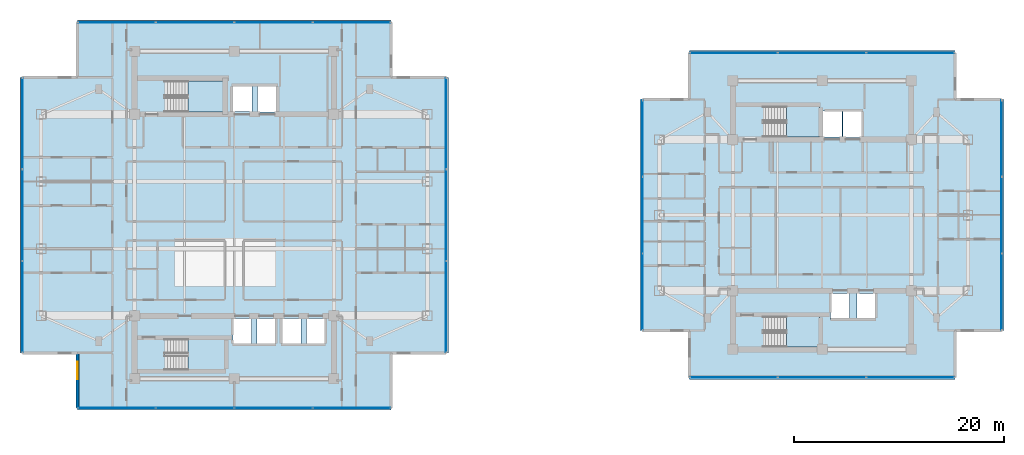
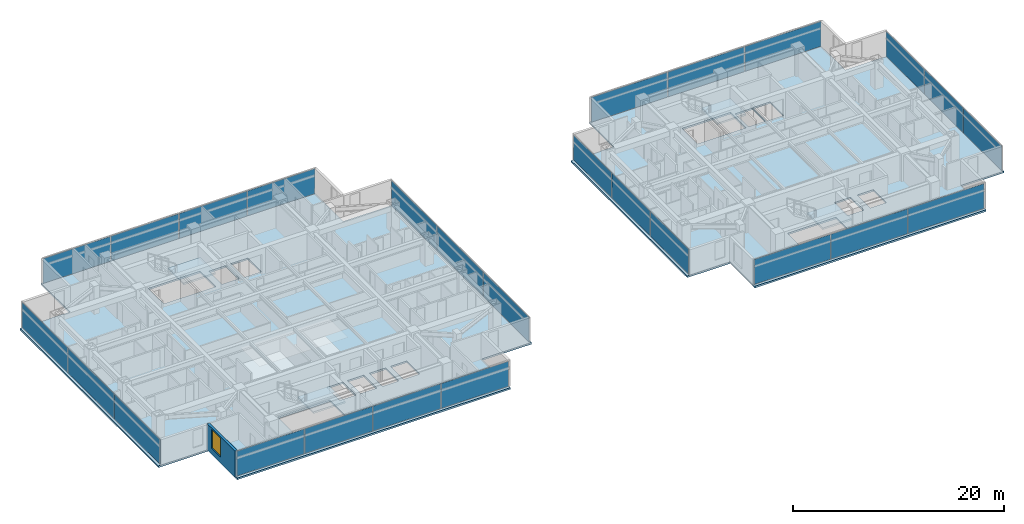
# One storey, part 11 of 24: 26 plates, 6 slabs, 1 wall, 1 window, 1 opening, 12 elements without a shape of their own.
"""IFC4 building model written with IfcOpenShell, lengths in metres."""

from ifc_helpers import new_model, si_unit, direction, frame, frame_2d, origin, origin_2d, place, context, subcontext, project, spatial, polyline, rectangle, outline, extrude, material, layer, layer_set, type_object, element, fill, aggregate, save


model = new_model("IFC4")

# Units and contexts
model_context = context("Model", 3, precision=1e-05, world=origin(), true_north=direction((0.0, 1.0)))
body_context = subcontext(model_context, "Body", "Model", "MODEL_VIEW")
ifc_project = project(units=[si_unit("LENGTHUNIT", "METRE"), si_unit("AREAUNIT", "SQUARE_METRE"), si_unit("VOLUMEUNIT", "CUBIC_METRE"), si_unit("PLANEANGLEUNIT", "RADIAN"), si_unit("MASSUNIT", "GRAM", prefix="KILO")], contexts=[model_context])

# Site, building, storey
site_placement = place(None, origin())
site = spatial("IfcSite", under=ifc_project, at=site_placement, CompositionType="ELEMENT")
building_placement = place(site_placement, origin())
building = spatial("IfcBuilding", under=site, at=building_placement, Name="Mirazonda Arch Towers", CompositionType="ELEMENT")
storey_placement = place(building_placement, frame((0.0, 0.0, 160.89990234375)))
storey = spatial("IfcBuildingStorey", under=building, at=storey_placement, Name="L45", CompositionType="ELEMENT", Elevation=160.89990234375)

# Curtain wall, plates
ifc_material_1 = material(Name="Anodised Aluminium and Low-E Glass", Category="aluminium")
curtain_wall_type = type_object("IfcCurtainWallType", Name="CW-RES-UNIT", PredefinedType="NOTDEFINED", material=ifc_material_1)
curtain_wall_1_placement = place(storey_placement, origin())
curtain_wall_1 = element("IfcCurtainWall", 1, at=curtain_wall_1_placement, inside=storey, type_object=curtain_wall_type, Name="L45 T1 S Facade CW-L45-T1-S", PredefinedType="NOTDEFINED")
ifc_material_2 = material(Name="Insulated Low-E Solar Glass", Category="glass")
ifc_layer_1 = layer(ifc_material_2, 0.0400390625, Name="PAN-CW-RES-UNIT")
ifc_layer_set_1 = layer_set([ifc_layer_1], Name="Insulated Low-E Solar Glass")
plate_type = type_object("IfcPlateType", Name="PAN-CW-RES-UNIT", PredefinedType="CURTAIN_PANEL", material=ifc_layer_set_1)
plate_1_placement = place(storey_placement, frame((31.68994140625, 9.634033203125, 0.0751953125), z_axis=(0.0, 0.0, 1.0), x_axis=(-1.0, 0.0, 0.0)))
plate_1 = element("IfcPlate", 2, at=plate_1_placement, type_object=plate_type, Name="CW-104 panel 1.1", PredefinedType="CURTAIN_PANEL", context=body_context, shape_type="SweptSolid", body=[
    extrude(rectangle(XDim=7.360107421875, YDim=0.0400390625, at=origin_2d()), origin(), (0.0, 0.0, 1.0), 2.8798828125),
])
plate_2_placement = place(storey_placement, frame((24.236328125, 9.634033203125, 0.0751953125), z_axis=(0.0, 0.0, 1.0), x_axis=(-1.0, 0.0, 0.0)))
plate_2 = element("IfcPlate", 3, at=plate_2_placement, type_object=plate_type, Name="CW-104 panel 2.1", PredefinedType="CURTAIN_PANEL", context=body_context, shape_type="SweptSolid", body=[
    extrude(rectangle(XDim=7.3974609375, YDim=0.0400390625, at=origin_2d()), origin(), (0.0, 0.0, 1.0), 2.8798828125),
])
plate_3_placement = place(storey_placement, frame((16.763671875, 9.634033203125, 0.0751953125), z_axis=(0.0, 0.0, 1.0), x_axis=(-1.0, 0.0, 0.0)))
plate_3 = element("IfcPlate", 4, at=plate_3_placement, type_object=plate_type, Name="CW-104 panel 3.1", PredefinedType="CURTAIN_PANEL", context=body_context, shape_type="SweptSolid", body=[
    extrude(rectangle(XDim=7.3974609375, YDim=0.0400390625, at=origin_2d()), origin(), (0.0, 0.0, 1.0), 2.8798828125),
])
plate_4_placement = place(storey_placement, frame((9.31005859375, 9.634033203125, 0.0751953125), z_axis=(0.0, 0.0, 1.0), x_axis=(-1.0, 0.0, 0.0)))
plate_4 = element("IfcPlate", 5, at=plate_4_placement, type_object=plate_type, Name="CW-104 panel 4.1", PredefinedType="CURTAIN_PANEL", context=body_context, shape_type="SweptSolid", body=[
    extrude(rectangle(XDim=7.360107421875, YDim=0.0400390625, at=origin_2d()), origin(), (0.0, 0.0, 1.0), 2.8798828125),
])
aggregate(curtain_wall_1, [plate_1, plate_2, plate_3, plate_4])

curtain_wall_2_placement = place(storey_placement, origin())
curtain_wall_2 = element("IfcCurtainWall", 6, at=curtain_wall_2_placement, inside=storey, type_object=curtain_wall_type, Name="L45 T1 E Facade CW-L45-T1-E", PredefinedType="NOTDEFINED")
plate_5_placement = place(storey_placement, frame((40.68994140625, 19.271484375, 0.0751953125), z_axis=(0.0, 0.0, 1.0), x_axis=(0.0, 1.0, 0.0)))
plate_5 = element("IfcPlate", 7, at=plate_5_placement, type_object=plate_type, Name="CW-104 panel 1.1", PredefinedType="CURTAIN_PANEL", context=body_context, shape_type="SweptSolid", body=[
    extrude(rectangle(XDim=8.634765625, YDim=0.0400390625, at=origin_2d()), origin(), (0.0, 0.0, 1.0), 2.8798828125),
])
plate_6_placement = place(storey_placement, frame((40.68994140625, 28.0, 0.0751953125), z_axis=(0.0, 0.0, 1.0), x_axis=(0.0, 1.0, 0.0)))
plate_6 = element("IfcPlate", 8, at=plate_6_placement, type_object=plate_type, Name="CW-104 panel 2.1", PredefinedType="CURTAIN_PANEL", context=body_context, shape_type="SweptSolid", body=[
    extrude(rectangle(XDim=8.67236328125, YDim=0.0400390625, at=origin_2d()), origin(), (0.0, 0.0, 1.0), 2.8798828125),
])
plate_7_placement = place(storey_placement, frame((40.68994140625, 36.728515625, 0.0751953125), z_axis=(0.0, 0.0, 1.0), x_axis=(0.0, 1.0, 0.0)))
plate_7 = element("IfcPlate", 9, at=plate_7_placement, type_object=plate_type, Name="CW-104 panel 3.1", PredefinedType="CURTAIN_PANEL", context=body_context, shape_type="SweptSolid", body=[
    extrude(rectangle(XDim=8.634765625, YDim=0.0400390625, at=origin_2d()), origin(), (0.0, 0.0, 1.0), 2.8798828125),
])
aggregate(curtain_wall_2, [plate_5, plate_6, plate_7])

curtain_wall_3_placement = place(storey_placement, origin())
curtain_wall_3 = element("IfcCurtainWall", 10, at=curtain_wall_3_placement, inside=storey, type_object=curtain_wall_type, Name="L45 T1 N Facade CW-L45-T1-N", PredefinedType="NOTDEFINED")
plate_8_placement = place(storey_placement, frame((9.31005859375, 46.365966796875, 0.0751953125), z_axis=(0.0, 0.0, 1.0), x_axis=(1.0, 0.0, 0.0)))
plate_8 = element("IfcPlate", 11, at=plate_8_placement, type_object=plate_type, Name="CW-104 panel 1.1", PredefinedType="CURTAIN_PANEL", context=body_context, shape_type="SweptSolid", body=[
    extrude(rectangle(XDim=7.360107421875, YDim=0.0400390625, at=origin_2d()), origin(), (0.0, 0.0, 1.0), 2.8798828125),
])
plate_9_placement = place(storey_placement, frame((16.763671875, 46.365966796875, 0.0751953125), z_axis=(0.0, 0.0, 1.0), x_axis=(1.0, 0.0, 0.0)))
plate_9 = element("IfcPlate", 12, at=plate_9_placement, type_object=plate_type, Name="CW-104 panel 2.1", PredefinedType="CURTAIN_PANEL", context=body_context, shape_type="SweptSolid", body=[
    extrude(rectangle(XDim=7.3974609375, YDim=0.0400390625, at=origin_2d()), origin(), (0.0, 0.0, 1.0), 2.8798828125),
])
plate_10_placement = place(storey_placement, frame((24.236328125, 46.365966796875, 0.0751953125), z_axis=(0.0, 0.0, 1.0), x_axis=(1.0, 0.0, 0.0)))
plate_10 = element("IfcPlate", 13, at=plate_10_placement, type_object=plate_type, Name="CW-104 panel 3.1", PredefinedType="CURTAIN_PANEL", context=body_context, shape_type="SweptSolid", body=[
    extrude(rectangle(XDim=7.3974609375, YDim=0.0400390625, at=origin_2d()), origin(), (0.0, 0.0, 1.0), 2.8798828125),
])
plate_11_placement = place(storey_placement, frame((31.68994140625, 46.365966796875, 0.0751953125), z_axis=(0.0, 0.0, 1.0), x_axis=(1.0, 0.0, 0.0)))
plate_11 = element("IfcPlate", 14, at=plate_11_placement, type_object=plate_type, Name="CW-104 panel 4.1", PredefinedType="CURTAIN_PANEL", context=body_context, shape_type="SweptSolid", body=[
    extrude(rectangle(XDim=7.360107421875, YDim=0.0400390625, at=origin_2d()), origin(), (0.0, 0.0, 1.0), 2.8798828125),
])
aggregate(curtain_wall_3, [plate_8, plate_9, plate_10, plate_11])

curtain_wall_4_placement = place(storey_placement, origin())
curtain_wall_4 = element("IfcCurtainWall", 15, at=curtain_wall_4_placement, inside=storey, type_object=curtain_wall_type, Name="L45 T1 W Facade CW-L45-T1-W", PredefinedType="NOTDEFINED")
plate_12_placement = place(storey_placement, frame((0.31005859375, 36.728515625, 0.0751953125), z_axis=(0.0, 0.0, 1.0), x_axis=(0.0, -1.0, 0.0)))
plate_12 = element("IfcPlate", 16, at=plate_12_placement, type_object=plate_type, Name="CW-104 panel 1.1", PredefinedType="CURTAIN_PANEL", context=body_context, shape_type="SweptSolid", body=[
    extrude(rectangle(XDim=8.634765625, YDim=0.0400390625, at=origin_2d()), origin(), (0.0, 0.0, 1.0), 2.8798828125),
])
plate_13_placement = place(storey_placement, frame((0.31005859375, 28.0, 0.0751953125), z_axis=(0.0, 0.0, 1.0), x_axis=(0.0, -1.0, 0.0)))
plate_13 = element("IfcPlate", 17, at=plate_13_placement, type_object=plate_type, Name="CW-104 panel 2.1", PredefinedType="CURTAIN_PANEL", context=body_context, shape_type="SweptSolid", body=[
    extrude(rectangle(XDim=8.67236328125, YDim=0.0400390625, at=origin_2d()), origin(), (0.0, 0.0, 1.0), 2.8798828125),
])
plate_14_placement = place(storey_placement, frame((0.31005859375, 19.271484375, 0.0751953125), z_axis=(0.0, 0.0, 1.0), x_axis=(0.0, -1.0, 0.0)))
plate_14 = element("IfcPlate", 18, at=plate_14_placement, type_object=plate_type, Name="CW-104 panel 3.1", PredefinedType="CURTAIN_PANEL", context=body_context, shape_type="SweptSolid", body=[
    extrude(rectangle(XDim=8.634765625, YDim=0.0400390625, at=origin_2d()), origin(), (0.0, 0.0, 1.0), 2.8798828125),
])
aggregate(curtain_wall_4, [plate_12, plate_13, plate_14])

curtain_wall_5_placement = place(storey_placement, origin())
curtain_wall_5 = element("IfcCurtainWall", 19, at=curtain_wall_5_placement, inside=storey, type_object=curtain_wall_type, Name="L45 T2 S Facade CW-L45-T2-S", PredefinedType="NOTDEFINED")
plate_15_placement = place(storey_placement, frame((84.91015625, 12.5419921875, 0.0751953125), z_axis=(0.0, 0.0, 1.0), x_axis=(-1.0, 0.0, 0.0)))
plate_15 = element("IfcPlate", 20, at=plate_15_placement, type_object=plate_type, Name="CW-104 panel 1.1", PredefinedType="CURTAIN_PANEL", context=body_context, shape_type="SweptSolid", body=[
    extrude(rectangle(XDim=8.31640625, YDim=0.0400390625, at=origin_2d()), origin(), (0.0, 0.0, 1.0), 2.8798828125),
])
plate_16_placement = place(storey_placement, frame((76.5, 12.5419921875, 0.0751953125), z_axis=(0.0, 0.0, 1.0), x_axis=(-1.0, 0.0, 0.0)))
plate_16 = element("IfcPlate", 21, at=plate_16_placement, type_object=plate_type, Name="CW-104 panel 2.1", PredefinedType="CURTAIN_PANEL", context=body_context, shape_type="SweptSolid", body=[
    extrude(rectangle(XDim=8.353759765625, YDim=0.0400390625, at=origin_2d()), origin(), (0.0, 0.0, 1.0), 2.8798828125),
])
plate_17_placement = place(storey_placement, frame((68.08984375, 12.5419921875, 0.0751953125), z_axis=(0.0, 0.0, 1.0), x_axis=(-1.0, 0.0, 0.0)))
plate_17 = element("IfcPlate", 22, at=plate_17_placement, type_object=plate_type, Name="CW-104 panel 3.1", PredefinedType="CURTAIN_PANEL", context=body_context, shape_type="SweptSolid", body=[
    extrude(rectangle(XDim=8.31640625, YDim=0.0400390625, at=origin_2d()), origin(), (0.0, 0.0, 1.0), 2.8798828125),
])
aggregate(curtain_wall_5, [plate_15, plate_16, plate_17])

curtain_wall_6_placement = place(storey_placement, origin())
curtain_wall_6 = element("IfcCurtainWall", 23, at=curtain_wall_6_placement, inside=storey, type_object=curtain_wall_type, Name="L45 T2 E Facade CW-L45-T2-E", PredefinedType="NOTDEFINED")
plate_18_placement = place(storey_placement, frame((93.6083984375, 20.690185546875, 0.0751953125), z_axis=(0.0, 0.0, 1.0), x_axis=(0.0, 1.0, 0.0)))
plate_18 = element("IfcPlate", 24, at=plate_18_placement, type_object=plate_type, Name="CW-104 panel 1.1", PredefinedType="CURTAIN_PANEL", context=body_context, shape_type="SweptSolid", body=[
    extrude(rectangle(XDim=7.216064453125, YDim=0.0400390625, at=origin_2d()), origin(), (0.0, 0.0, 1.0), 2.8798828125),
])
plate_19_placement = place(storey_placement, frame((93.6083984375, 28.0, 0.0751953125), z_axis=(0.0, 0.0, 1.0), x_axis=(0.0, 1.0, 0.0)))
plate_19 = element("IfcPlate", 25, at=plate_19_placement, type_object=plate_type, Name="CW-104 panel 2.1", PredefinedType="CURTAIN_PANEL", context=body_context, shape_type="SweptSolid", body=[
    extrude(rectangle(XDim=7.253662109375, YDim=0.0400390625, at=origin_2d()), origin(), (0.0, 0.0, 1.0), 2.8798828125),
])
plate_20_placement = place(storey_placement, frame((93.6083984375, 35.309814453125, 0.0751953125), z_axis=(0.0, 0.0, 1.0), x_axis=(0.0, 1.0, 0.0)))
plate_20 = element("IfcPlate", 26, at=plate_20_placement, type_object=plate_type, Name="CW-104 panel 3.1", PredefinedType="CURTAIN_PANEL", context=body_context, shape_type="SweptSolid", body=[
    extrude(rectangle(XDim=7.216064453125, YDim=0.0400390625, at=origin_2d()), origin(), (0.0, 0.0, 1.0), 2.8798828125),
])
aggregate(curtain_wall_6, [plate_18, plate_19, plate_20])

curtain_wall_7_placement = place(storey_placement, origin())
curtain_wall_7 = element("IfcCurtainWall", 27, at=curtain_wall_7_placement, inside=storey, type_object=curtain_wall_type, Name="L45 T2 N Facade CW-L45-T2-N", PredefinedType="NOTDEFINED")
plate_21_placement = place(storey_placement, frame((68.08984375, 43.4580078125, 0.0751953125), z_axis=(0.0, 0.0, 1.0), x_axis=(1.0, 0.0, 0.0)))
plate_21 = element("IfcPlate", 28, at=plate_21_placement, type_object=plate_type, Name="CW-104 panel 1.1", PredefinedType="CURTAIN_PANEL", context=body_context, shape_type="SweptSolid", body=[
    extrude(rectangle(XDim=8.31640625, YDim=0.0400390625, at=origin_2d()), origin(), (0.0, 0.0, 1.0), 2.8798828125),
])
plate_22_placement = place(storey_placement, frame((76.5, 43.4580078125, 0.0751953125), z_axis=(0.0, 0.0, 1.0), x_axis=(1.0, 0.0, 0.0)))
plate_22 = element("IfcPlate", 29, at=plate_22_placement, type_object=plate_type, Name="CW-104 panel 2.1", PredefinedType="CURTAIN_PANEL", context=body_context, shape_type="SweptSolid", body=[
    extrude(rectangle(XDim=8.353759765625, YDim=0.0400390625, at=origin_2d()), origin(), (0.0, 0.0, 1.0), 2.8798828125),
])
plate_23_placement = place(storey_placement, frame((84.91015625, 43.4580078125, 0.0751953125), z_axis=(0.0, 0.0, 1.0), x_axis=(1.0, 0.0, 0.0)))
plate_23 = element("IfcPlate", 30, at=plate_23_placement, type_object=plate_type, Name="CW-104 panel 3.1", PredefinedType="CURTAIN_PANEL", context=body_context, shape_type="SweptSolid", body=[
    extrude(rectangle(XDim=8.31640625, YDim=0.0400390625, at=origin_2d()), origin(), (0.0, 0.0, 1.0), 2.8798828125),
])
aggregate(curtain_wall_7, [plate_21, plate_22, plate_23])

curtain_wall_8_placement = place(storey_placement, origin())
curtain_wall_8 = element("IfcCurtainWall", 31, at=curtain_wall_8_placement, inside=storey, type_object=curtain_wall_type, Name="L45 T2 W Facade CW-L45-T2-W", PredefinedType="NOTDEFINED")
plate_24_placement = place(storey_placement, frame((59.3916015625, 35.309814453125, 0.0751953125), z_axis=(0.0, 0.0, 1.0), x_axis=(0.0, -1.0, 0.0)))
plate_24 = element("IfcPlate", 32, at=plate_24_placement, type_object=plate_type, Name="CW-104 panel 1.1", PredefinedType="CURTAIN_PANEL", context=body_context, shape_type="SweptSolid", body=[
    extrude(rectangle(XDim=7.216064453125, YDim=0.0400390625, at=origin_2d()), origin(), (0.0, 0.0, 1.0), 2.8798828125),
])
plate_25_placement = place(storey_placement, frame((59.3916015625, 28.0, 0.0751953125), z_axis=(0.0, 0.0, 1.0), x_axis=(0.0, -1.0, 0.0)))
plate_25 = element("IfcPlate", 33, at=plate_25_placement, type_object=plate_type, Name="CW-104 panel 2.1", PredefinedType="CURTAIN_PANEL", context=body_context, shape_type="SweptSolid", body=[
    extrude(rectangle(XDim=7.253662109375, YDim=0.0400390625, at=origin_2d()), origin(), (0.0, 0.0, 1.0), 2.8798828125),
])
plate_26_placement = place(storey_placement, frame((59.3916015625, 20.690185546875, 0.0751953125), z_axis=(0.0, 0.0, 1.0), x_axis=(0.0, -1.0, 0.0)))
plate_26 = element("IfcPlate", 34, at=plate_26_placement, type_object=plate_type, Name="CW-104 panel 3.1", PredefinedType="CURTAIN_PANEL", context=body_context, shape_type="SweptSolid", body=[
    extrude(rectangle(XDim=7.216064453125, YDim=0.0400390625, at=origin_2d()), origin(), (0.0, 0.0, 1.0), 2.8798828125),
])
aggregate(curtain_wall_8, [plate_24, plate_25, plate_26])

# Stair, slab
ifc_material_3 = material(Name="Concrete C40/50", Category="concrete")
stair_type = type_object("IfcStairType", Name="STAIR-CORE-1400", PredefinedType="HALF_TURN_STAIR", material=ifc_material_3)
stair_1_placement = place(storey_placement, origin())
stair_1 = element("IfcStair", 35, at=stair_1_placement, inside=storey, type_object=stair_type, Name="L45 Protected Exit Stair ST-T1N", PredefinedType="HALF_TURN_STAIR")
ifc_layer_2 = layer(ifc_material_3, 0.18994140625, Name="SLAB-LANDING-190")
ifc_layer_set_2 = layer_set([ifc_layer_2], Name="Concrete C40/50")
slab_type_1 = type_object("IfcSlabType", Name="SLAB-LANDING-190", PredefinedType="LANDING", material=ifc_layer_set_2)
slab_1_placement = place(storey_placement, frame((0.0, 0.0, 1.425048828125)))
slab_1 = element("IfcSlab", 36, at=slab_1_placement, type_object=slab_type_1, Name="ST-T1N landing 1", PredefinedType="LANDING", context=body_context, shape_type="SweptSolid", body=[
    extrude(outline(polyline([(16.090087890625, 37.820068359375), (19.60009765625, 37.820068359375), (19.60009765625, 40.760009765625), (16.090087890625, 40.760009765625), (16.090087890625, 37.820068359375)])), origin(), (0.0, 0.0, 1.0), 0.199951171875),
])
aggregate(stair_1, [slab_1])

stair_2_placement = place(storey_placement, origin())
stair_2 = element("IfcStair", 37, at=stair_2_placement, inside=storey, type_object=stair_type, Name="L45 Protected Exit Stair ST-T1S", PredefinedType="HALF_TURN_STAIR")
slab_2_placement = place(storey_placement, frame((0.0, 0.0, 1.425048828125)))
slab_2 = element("IfcSlab", 38, at=slab_2_placement, type_object=slab_type_1, Name="ST-T1S landing 1", PredefinedType="LANDING", context=body_context, shape_type="SweptSolid", body=[
    extrude(outline(polyline([(16.090087890625, 13.25), (19.60009765625, 13.25), (19.60009765625, 16.18994140625), (16.090087890625, 16.18994140625), (16.090087890625, 13.25)])), origin(), (0.0, 0.0, 1.0), 0.199951171875),
])
aggregate(stair_2, [slab_2])

stair_3_placement = place(storey_placement, origin())
stair_3 = element("IfcStair", 39, at=stair_3_placement, inside=storey, type_object=stair_type, Name="L45 Protected Exit Stair ST-T2N", PredefinedType="HALF_TURN_STAIR")
slab_3_placement = place(storey_placement, frame((0.0, 0.0, 1.425048828125)))
slab_3 = element("IfcSlab", 40, at=slab_3_placement, type_object=slab_type_1, Name="ST-T2N landing 1", PredefinedType="LANDING", context=body_context, shape_type="SweptSolid", body=[
    extrude(outline(polyline([(73.090087890625, 35.419921875), (76.22998046875, 35.419921875), (76.22998046875, 38.360107421875), (73.090087890625, 38.360107421875), (73.090087890625, 35.419921875)])), origin(), (0.0, 0.0, 1.0), 0.199951171875),
])
aggregate(stair_3, [slab_3])

stair_4_placement = place(storey_placement, origin())
stair_4 = element("IfcStair", 41, at=stair_4_placement, inside=storey, type_object=stair_type, Name="L45 Protected Exit Stair ST-T2S", PredefinedType="HALF_TURN_STAIR")
slab_4_placement = place(storey_placement, frame((0.0, 0.0, 1.425048828125)))
slab_4 = element("IfcSlab", 42, at=slab_4_placement, type_object=slab_type_1, Name="ST-T2S landing 1", PredefinedType="LANDING", context=body_context, shape_type="SweptSolid", body=[
    extrude(outline(polyline([(73.090087890625, 15.419921875), (76.22998046875, 15.419921875), (76.22998046875, 18.360107421875), (73.090087890625, 18.360107421875), (73.090087890625, 15.419921875)])), origin(), (0.0, 0.0, 1.0), 0.199951171875),
])
aggregate(stair_4, [slab_4])

# Slabs
ifc_layer_3 = layer(ifc_material_3, 0.199951171875, Name="SLAB-TWR-200")
ifc_layer_set_3 = layer_set([ifc_layer_3], Name="Concrete C40/50")
slab_type_2 = type_object("IfcSlabType", Name="SLAB-TWR-200", PredefinedType="FLOOR", material=ifc_layer_set_3)
slab_5_placement = place(storey_placement, frame((0.0, 0.0, -0.199951171875)))
element("IfcSlab", 43, at=slab_5_placement, inside=storey, type_object=slab_type_2, Name="L45 Tower 1 Floor Slab", PredefinedType="FLOOR", context=body_context, shape_type="SweptSolid", body=[
    extrude(outline(polyline([(5.554931640625, 9.4140625), (35.445068359375, 9.4140625), (35.445068359375, 14.87890625), (40.909912109375, 14.87890625), (40.909912109375, 41.12109375), (35.445068359375, 41.12109375), (35.445068359375, 46.5859375), (5.554931640625, 46.5859375), (5.554931640625, 41.12109375), (0.090087890625, 41.12109375), (0.090087890625, 14.87890625), (5.554931640625, 14.87890625), (5.554931640625, 9.4140625)]), holes=[polyline([(27.360107421875, 18.139892578125), (29.139892578125, 18.139892578125), (29.139892578125, 15.659912109375), (27.360107421875, 15.659912109375), (27.360107421875, 18.139892578125)]), polyline([(25.06005859375, 18.139892578125), (26.840087890625, 18.139892578125), (26.840087890625, 15.659912109375), (25.06005859375, 15.659912109375), (25.06005859375, 18.139892578125)]), polyline([(22.7099609375, 40.389892578125), (24.590087890625, 40.389892578125), (24.590087890625, 37.81005859375), (22.7099609375, 37.81005859375), (22.7099609375, 40.389892578125)]), polyline([(22.659912109375, 18.139892578125), (24.43994140625, 18.139892578125), (24.43994140625, 15.659912109375), (22.659912109375, 15.659912109375), (22.659912109375, 18.139892578125)]), polyline([(20.31005859375, 40.340087890625), (22.18994140625, 40.340087890625), (22.18994140625, 37.860107421875), (20.31005859375, 37.860107421875), (20.31005859375, 40.340087890625)]), polyline([(20.360107421875, 18.139892578125), (22.139892578125, 18.139892578125), (22.139892578125, 15.659912109375), (20.360107421875, 15.659912109375), (20.360107421875, 18.139892578125)]), polyline([(13.925048828125, 13.25), (13.925048828125, 16.18994140625), (19.60009765625, 16.18994140625), (19.60009765625, 13.25), (13.925048828125, 13.25)]), polyline([(13.925048828125, 37.820068359375), (13.925048828125, 40.760009765625), (19.60009765625, 40.760009765625), (19.60009765625, 37.820068359375), (13.925048828125, 37.820068359375)])]), origin(), (0.0, 0.0, 1.0), 0.199951171875),
])
slab_6_placement = place(storey_placement, frame((0.0, 0.0, -0.199951171875)))
element("IfcSlab", 44, at=slab_6_placement, inside=storey, type_object=slab_type_2, Name="L45 Tower 2 Floor Slab", PredefinedType="FLOOR", context=body_context, shape_type="SweptSolid", body=[
    extrude(outline(polyline([(63.856689453125, 12.322021484375), (89.143310546875, 12.322021484375), (89.143310546875, 17.007080078125), (93.82861328125, 17.007080078125), (93.82861328125, 38.992919921875), (89.143310546875, 38.992919921875), (89.143310546875, 43.677978515625), (63.856689453125, 43.677978515625), (63.856689453125, 38.992919921875), (59.17138671875, 38.992919921875), (59.17138671875, 17.007080078125), (63.856689453125, 17.007080078125), (63.856689453125, 12.322021484375)]), holes=[polyline([(79.81005859375, 20.5400390625), (81.590087890625, 20.5400390625), (81.590087890625, 18.06005859375), (79.81005859375, 18.06005859375), (79.81005859375, 20.5400390625)]), polyline([(78.47998046875, 37.989990234375), (80.360107421875, 37.989990234375), (80.360107421875, 35.409912109375), (78.47998046875, 35.409912109375), (78.47998046875, 37.989990234375)]), polyline([(77.31005859375, 20.5400390625), (79.090087890625, 20.5400390625), (79.090087890625, 18.06005859375), (77.31005859375, 18.06005859375), (77.31005859375, 20.5400390625)]), polyline([(76.510009765625, 35.4599609375), (76.510009765625, 37.93994140625), (78.389892578125, 37.93994140625), (78.389892578125, 35.4599609375), (76.510009765625, 35.4599609375)]), polyline([(76.22998046875, 15.419921875), (70.925048828125, 15.419921875), (70.925048828125, 18.360107421875), (76.22998046875, 18.360107421875), (76.22998046875, 15.419921875)]), polyline([(70.925048828125, 35.419921875), (70.925048828125, 38.360107421875), (76.22998046875, 38.360107421875), (76.22998046875, 35.419921875), (70.925048828125, 35.419921875)])]), origin(), (0.0, 0.0, 1.0), 0.199951171875),
])

# Wall, opening, window
ifc_material_4 = material(Name="Precast Concrete C40/50", Category="concrete")
ifc_layer_4 = layer(ifc_material_4, 0.280029296875, Name="WALL-EXT-WALL-280")
ifc_layer_set_4 = layer_set([ifc_layer_4], Name="Precast Concrete C40/50")
wall_type = type_object("IfcWallType", Name="WALL-EXT-WALL-280", PredefinedType="SOLIDWALL", material=ifc_layer_set_4)
wall_placement = place(storey_placement, frame((5.554931640625, 14.87890625, 0.0), z_axis=(0.0, 0.0, 1.0), x_axis=(0.0, -1.0, 0.0)))
wall = element("IfcWall", 45, at=wall_placement, inside=storey, type_object=wall_type, Name="L45 T1 Notched SW Corner Wall WL-L45-T1-CSW", PredefinedType="SOLIDWALL", context=body_context, shape_type="SweptSolid", body=[
    extrude(rectangle(XDim=5.244873046875, YDim=0.280029296875, at=frame_2d((2.62255859375, 0.0))), origin(), (0.0, 0.0, 1.0), 3.030029296875),
])
opening_placement = place(wall_placement, frame((0.85009765625, 0.0, 0.679931640625)))
opening = element("IfcOpeningElement", 46, at=opening_placement, cuts=wall, Name="Opening WN-115", PredefinedType="OPENING", context=body_context, shape_type="SweptSolid", body=[
    extrude(rectangle(XDim=1.64990234375, YDim=2.199951171875, at=frame_2d((0.824951171875, 1.10009765625))), frame((0.0, 0.14990234375, 0.0), z_axis=(0.0, -1.0, 0.0), x_axis=(1.0, 0.0, 0.0)), (0.0, 0.0, 1.0), 0.300048828125),
])
window_type = type_object("IfcWindowType", Name="WIN-RES-1650x2200", PartitioningType="SINGLE_PANEL", PredefinedType="WINDOW", material=ifc_material_2)
window_placement = place(opening_placement, origin())
window = element("IfcWindow", 47, at=window_placement, inside=storey, type_object=window_type, Name="L45 Punched Facade Window WN-L45-T1-CSW", OverallHeight=2.199951171875, OverallWidth=1.64990234375, PartitioningType="SINGLE_PANEL", PredefinedType="WINDOW", context=body_context, shape_type="SweptSolid", body=[
    extrude(rectangle(XDim=1.64990234375, YDim=2.199951171875, at=frame_2d((0.824951171875, 1.10009765625))), frame((0.0, 0.030029296875, 0.0), z_axis=(0.0, -1.0, 0.0), x_axis=(1.0, 0.0, 0.0)), (0.0, 0.0, 1.0), 0.06005859375),
])
fill(opening, window)

save(model, "model.ifc")
